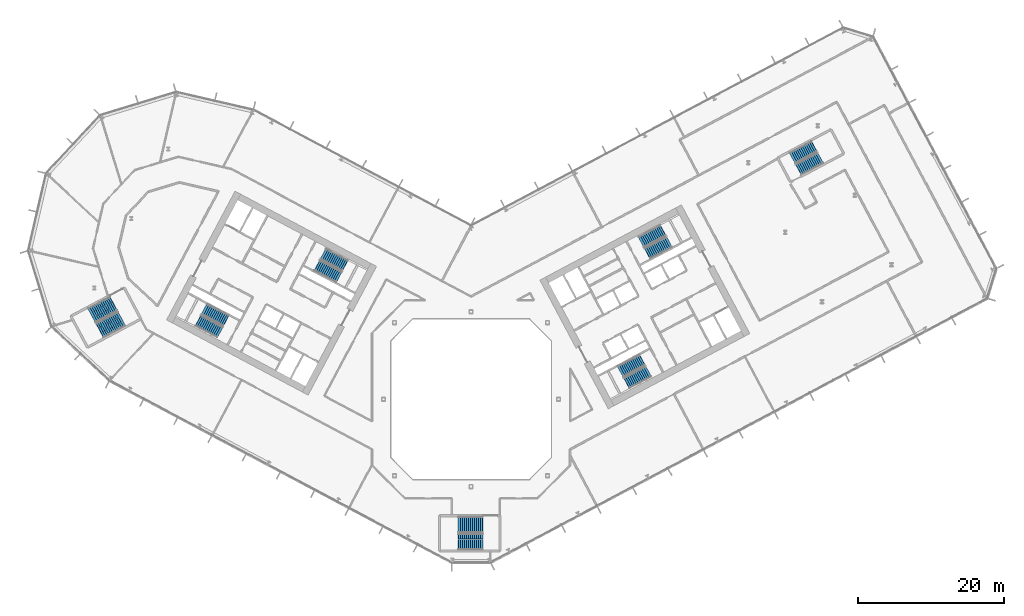
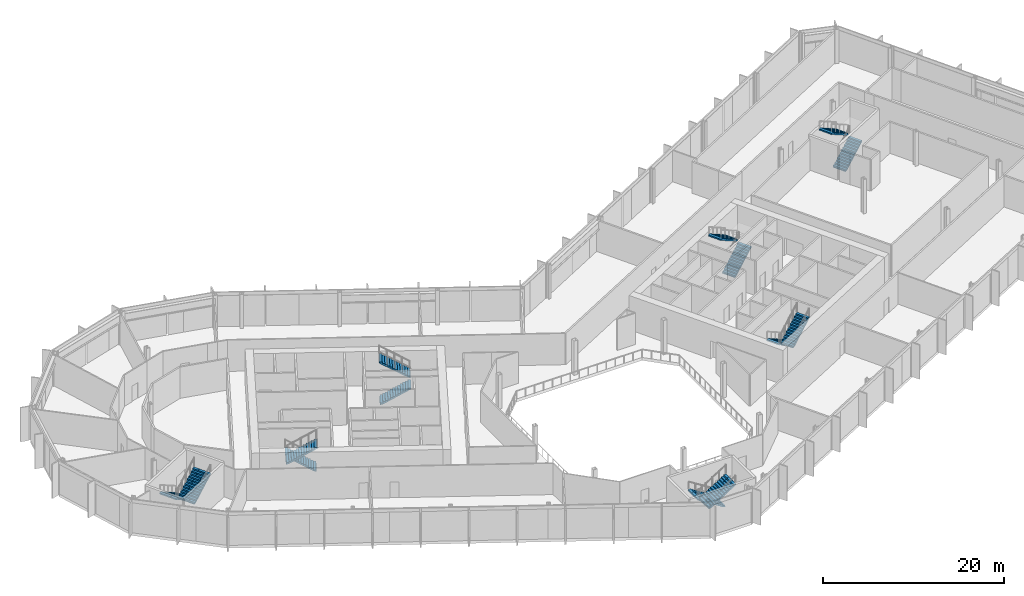
# One storey, part 19 of 30: 14 stair flights, 7 elements without a shape of their own.
"""IFC4 building model written with IfcOpenShell, lengths in metres."""

from ifc_helpers import new_model, si_unit, direction, frame, origin, place, context, subcontext, project, spatial, polyline, outline, extrude, material, type_object, element, aggregate, save


model = new_model("IFC4")

# Units and contexts
model_context = context("Model", 3, precision=1e-05, world=origin(), true_north=direction((0.0, 1.0)))
body_context = subcontext(model_context, "Body", "Model", "MODEL_VIEW")
ifc_project = project(units=[si_unit("LENGTHUNIT", "METRE"), si_unit("AREAUNIT", "SQUARE_METRE"), si_unit("VOLUMEUNIT", "CUBIC_METRE"), si_unit("PLANEANGLEUNIT", "RADIAN"), si_unit("MASSUNIT", "GRAM", prefix="KILO")], contexts=[model_context])

# Site, building, storey
site_placement = place(None, origin())
site = spatial("IfcSite", under=ifc_project, at=site_placement, CompositionType="ELEMENT")
building_placement = place(site_placement, origin())
building = spatial("IfcBuilding", under=site, at=building_placement, Name="Cormorant Relay Tower", CompositionType="ELEMENT")
storey_placement = place(building_placement, frame((0.0, 0.0, 84.60009765625)))
storey = spatial("IfcBuildingStorey", under=building, at=storey_placement, Name="L16", CompositionType="ELEMENT", Elevation=84.60009765625)

# Stair, stair flights
ifc_material_1 = material(Name="Concrete 40 MPa", Category="concrete")
stair_type_1 = type_object("IfcStairType", Name="Exit stair 1500", PredefinedType="HALF_TURN_STAIR", material=ifc_material_1)
stair_1_placement = place(storey_placement, origin())
stair_1 = element("IfcStair", 1, at=stair_1_placement, inside=storey, type_object=stair_type_1, Name="L16 Stair", PredefinedType="HALF_TURN_STAIR")
ifc_material_2 = material(Name="Concrete 40 MPa", Category="concrete")
stair_flight_type_1 = type_object("IfcStairFlightType", Name="Exit stair flight 1650", PredefinedType="STRAIGHT", material=ifc_material_2)
stair_flight_1_placement = place(storey_placement, frame((-21.114501953125, 18.33349609375, 0.0), z_axis=(0.0, 0.0, 1.0), x_axis=(0.882947592859, -0.469471562786, 0.0)))
stair_flight_1 = element("IfcStairFlight", 2, at=stair_flight_1_placement, type_object=stair_flight_type_1, Name="A1 flight 1", NumberOfRisers=13, NumberOfTreads=12, PredefinedType="STRAIGHT", RiserHeight=0.176923077, TreadLength=0.28, context=body_context, shape_type="SweptSolid", body=[
    extrude(outline(polyline([(-0.050048828125, -0.080078125), (-0.050048828125, 0.0), (0.0, 0.0), (0.0, 0.177001953125), (0.280029296875, 0.177001953125), (0.280029296875, 0.353759765625), (0.56005859375, 0.353759765625), (0.56005859375, 0.53076171875), (0.840087890625, 0.53076171875), (0.840087890625, 0.707763671875), (1.1201171875, 0.707763671875), (1.1201171875, 0.884521484375), (1.39990234375, 0.884521484375), (1.39990234375, 1.0615234375), (1.679931640625, 1.0615234375), (1.679931640625, 1.238525390625), (1.9599609375, 1.238525390625), (1.9599609375, 1.415283203125), (2.239990234375, 1.415283203125), (2.239990234375, 1.59228515625), (2.52001953125, 1.59228515625), (2.52001953125, 1.769287109375), (2.800048828125, 1.769287109375), (2.800048828125, 1.946044921875), (3.080078125, 1.946044921875), (3.080078125, 2.123046875), (3.360107421875, 2.123046875), (3.41015625, 2.123046875), (3.41015625, 1.94580078125), (3.360107421875, 1.94580078125), (0.280517578125, 0.0), (-0.050048828125, -0.080078125)])), frame((0.0, 0.824951171875, 0.0), z_axis=(0.0, -1.0, 0.0), x_axis=(1.0, 0.0, 0.0)), (0.0, 0.0, 1.0), 1.64990234375),
])
stair_flight_2_placement = place(storey_placement, frame((-17.302734375, 18.345458984375, 2.2998046875), z_axis=(0.0, 0.0, 1.0), x_axis=(-0.882947592859, 0.469471562786, 0.0)))
stair_flight_2 = element("IfcStairFlight", 3, at=stair_flight_2_placement, type_object=stair_flight_type_1, Name="A1 flight 2", NumberOfRisers=13, NumberOfTreads=12, PredefinedType="STRAIGHT", RiserHeight=0.176923077, TreadLength=0.28, context=body_context, shape_type="SweptSolid", body=[
    extrude(outline(polyline([(-0.050048828125, -0.080078125), (-0.050048828125, 0.0), (0.0, 0.0), (0.0, 0.177001953125), (0.280029296875, 0.177001953125), (0.280029296875, 0.353759765625), (0.56005859375, 0.353759765625), (0.56005859375, 0.53076171875), (0.840087890625, 0.53076171875), (0.840087890625, 0.707763671875), (1.1201171875, 0.707763671875), (1.1201171875, 0.884521484375), (1.39990234375, 0.884521484375), (1.39990234375, 1.0615234375), (1.679931640625, 1.0615234375), (1.679931640625, 1.238525390625), (1.9599609375, 1.238525390625), (1.9599609375, 1.415283203125), (2.239990234375, 1.415283203125), (2.239990234375, 1.59228515625), (2.52001953125, 1.59228515625), (2.52001953125, 1.769287109375), (2.800048828125, 1.769287109375), (2.800048828125, 1.946044921875), (3.080078125, 1.946044921875), (3.080078125, 2.123046875), (3.360107421875, 2.123046875), (3.41015625, 2.123046875), (3.41015625, 1.94580078125), (3.360107421875, 1.94580078125), (0.280517578125, 0.0), (-0.050048828125, -0.080078125)])), frame((0.0, 0.824951171875, 0.0), z_axis=(0.0, -1.0, 0.0), x_axis=(1.0, 0.0, 0.0)), (0.0, 0.0, 1.0), 1.64990234375),
])
aggregate(stair_1, [stair_flight_1, stair_flight_2])

stair_2_placement = place(storey_placement, origin())
stair_2 = element("IfcStair", 4, at=stair_2_placement, inside=storey, type_object=stair_type_1, Name="L16 Stair", PredefinedType="HALF_TURN_STAIR")
stair_flight_3_placement = place(storey_placement, frame((-33.62841796875, 10.773681640625, 0.0), z_axis=(0.0, 0.0, 1.0), x_axis=(-0.882947592859, 0.469471562786, 0.0)))
stair_flight_3 = element("IfcStairFlight", 5, at=stair_flight_3_placement, type_object=stair_flight_type_1, Name="A2 flight 1", NumberOfRisers=13, NumberOfTreads=12, PredefinedType="STRAIGHT", RiserHeight=0.176923077, TreadLength=0.28, context=body_context, shape_type="SweptSolid", body=[
    extrude(outline(polyline([(-0.050048828125, -0.080078125), (-0.050048828125, 0.0), (0.0, 0.0), (0.0, 0.177001953125), (0.280029296875, 0.177001953125), (0.280029296875, 0.353759765625), (0.56005859375, 0.353759765625), (0.56005859375, 0.53076171875), (0.840087890625, 0.53076171875), (0.840087890625, 0.707763671875), (1.1201171875, 0.707763671875), (1.1201171875, 0.884521484375), (1.39990234375, 0.884521484375), (1.39990234375, 1.0615234375), (1.679931640625, 1.0615234375), (1.679931640625, 1.238525390625), (1.9599609375, 1.238525390625), (1.9599609375, 1.415283203125), (2.239990234375, 1.415283203125), (2.239990234375, 1.59228515625), (2.52001953125, 1.59228515625), (2.52001953125, 1.769287109375), (2.800048828125, 1.769287109375), (2.800048828125, 1.946044921875), (3.080078125, 1.946044921875), (3.080078125, 2.123046875), (3.360107421875, 2.123046875), (3.41015625, 2.123046875), (3.41015625, 1.94580078125), (3.360107421875, 1.94580078125), (0.280517578125, 0.0), (-0.050048828125, -0.080078125)])), frame((0.0, 0.824951171875, 0.0), z_axis=(0.0, -1.0, 0.0), x_axis=(1.0, 0.0, 0.0)), (0.0, 0.0, 1.0), 1.64990234375),
])
stair_flight_4_placement = place(storey_placement, frame((-37.440185546875, 10.76171875, 2.2998046875), z_axis=(0.0, 0.0, 1.0), x_axis=(0.882947592859, -0.469471562786, 0.0)))
stair_flight_4 = element("IfcStairFlight", 6, at=stair_flight_4_placement, type_object=stair_flight_type_1, Name="A2 flight 2", NumberOfRisers=13, NumberOfTreads=12, PredefinedType="STRAIGHT", RiserHeight=0.176923077, TreadLength=0.28, context=body_context, shape_type="SweptSolid", body=[
    extrude(outline(polyline([(-0.050048828125, -0.080078125), (-0.050048828125, 0.0), (0.0, 0.0), (0.0, 0.177001953125), (0.280029296875, 0.177001953125), (0.280029296875, 0.353759765625), (0.56005859375, 0.353759765625), (0.56005859375, 0.53076171875), (0.840087890625, 0.53076171875), (0.840087890625, 0.707763671875), (1.1201171875, 0.707763671875), (1.1201171875, 0.884521484375), (1.39990234375, 0.884521484375), (1.39990234375, 1.0615234375), (1.679931640625, 1.0615234375), (1.679931640625, 1.238525390625), (1.9599609375, 1.238525390625), (1.9599609375, 1.415283203125), (2.239990234375, 1.415283203125), (2.239990234375, 1.59228515625), (2.52001953125, 1.59228515625), (2.52001953125, 1.769287109375), (2.800048828125, 1.769287109375), (2.800048828125, 1.946044921875), (3.080078125, 1.946044921875), (3.080078125, 2.123046875), (3.360107421875, 2.123046875), (3.41015625, 2.123046875), (3.41015625, 1.94580078125), (3.360107421875, 1.94580078125), (0.280517578125, 0.0), (-0.050048828125, -0.080078125)])), frame((0.0, 0.824951171875, 0.0), z_axis=(0.0, -1.0, 0.0), x_axis=(1.0, 0.0, 0.0)), (0.0, 0.0, 1.0), 1.64990234375),
])
aggregate(stair_2, [stair_flight_3, stair_flight_4])

stair_3_placement = place(storey_placement, origin())
stair_3 = element("IfcStair", 7, at=stair_3_placement, inside=storey, type_object=stair_type_1, Name="L16 Stair", PredefinedType="HALF_TURN_STAIR")
stair_flight_5_placement = place(storey_placement, frame((23.474365234375, 5.374755859375, 0.0), z_axis=(0.0, 0.0, 1.0), x_axis=(-0.882947592859, -0.469471562786, 0.0)))
stair_flight_5 = element("IfcStairFlight", 8, at=stair_flight_5_placement, type_object=stair_flight_type_1, Name="B1 flight 1", NumberOfRisers=13, NumberOfTreads=12, PredefinedType="STRAIGHT", RiserHeight=0.176923077, TreadLength=0.28, context=body_context, shape_type="SweptSolid", body=[
    extrude(outline(polyline([(-0.050048828125, -0.080078125), (-0.050048828125, 0.0), (0.0, 0.0), (0.0, 0.177001953125), (0.280029296875, 0.177001953125), (0.280029296875, 0.353759765625), (0.56005859375, 0.353759765625), (0.56005859375, 0.53076171875), (0.840087890625, 0.53076171875), (0.840087890625, 0.707763671875), (1.1201171875, 0.707763671875), (1.1201171875, 0.884521484375), (1.39990234375, 0.884521484375), (1.39990234375, 1.0615234375), (1.679931640625, 1.0615234375), (1.679931640625, 1.238525390625), (1.9599609375, 1.238525390625), (1.9599609375, 1.415283203125), (2.239990234375, 1.415283203125), (2.239990234375, 1.59228515625), (2.52001953125, 1.59228515625), (2.52001953125, 1.769287109375), (2.800048828125, 1.769287109375), (2.800048828125, 1.946044921875), (3.080078125, 1.946044921875), (3.080078125, 2.123046875), (3.360107421875, 2.123046875), (3.41015625, 2.123046875), (3.41015625, 1.94580078125), (3.360107421875, 1.94580078125), (0.280517578125, 0.0), (-0.050048828125, -0.080078125)])), frame((0.0, 0.824951171875, 0.0), z_axis=(0.0, -1.0, 0.0), x_axis=(1.0, 0.0, 0.0)), (0.0, 0.0, 1.0), 1.64990234375),
])
stair_flight_6_placement = place(storey_placement, frame((21.352783203125, 2.2080078125, 2.2998046875), z_axis=(0.0, 0.0, 1.0), x_axis=(0.882947592859, 0.469471562786, 0.0)))
stair_flight_6 = element("IfcStairFlight", 9, at=stair_flight_6_placement, type_object=stair_flight_type_1, Name="B1 flight 2", NumberOfRisers=13, NumberOfTreads=12, PredefinedType="STRAIGHT", RiserHeight=0.176923077, TreadLength=0.28, context=body_context, shape_type="SweptSolid", body=[
    extrude(outline(polyline([(-0.050048828125, -0.080078125), (-0.050048828125, 0.0), (0.0, 0.0), (0.0, 0.177001953125), (0.280029296875, 0.177001953125), (0.280029296875, 0.353759765625), (0.56005859375, 0.353759765625), (0.56005859375, 0.53076171875), (0.840087890625, 0.53076171875), (0.840087890625, 0.707763671875), (1.1201171875, 0.707763671875), (1.1201171875, 0.884521484375), (1.39990234375, 0.884521484375), (1.39990234375, 1.0615234375), (1.679931640625, 1.0615234375), (1.679931640625, 1.238525390625), (1.9599609375, 1.238525390625), (1.9599609375, 1.415283203125), (2.239990234375, 1.415283203125), (2.239990234375, 1.59228515625), (2.52001953125, 1.59228515625), (2.52001953125, 1.769287109375), (2.800048828125, 1.769287109375), (2.800048828125, 1.946044921875), (3.080078125, 1.946044921875), (3.080078125, 2.123046875), (3.360107421875, 2.123046875), (3.41015625, 2.123046875), (3.41015625, 1.94580078125), (3.360107421875, 1.94580078125), (0.280517578125, 0.0), (-0.050048828125, -0.080078125)])), frame((0.0, 0.824951171875, 0.0), z_axis=(0.0, -1.0, 0.0), x_axis=(1.0, 0.0, 0.0)), (0.0, 0.0, 1.0), 1.64990234375),
])
aggregate(stair_3, [stair_flight_5, stair_flight_6])

stair_4_placement = place(storey_placement, origin())
stair_4 = element("IfcStair", 10, at=stair_4_placement, inside=storey, type_object=stair_type_1, Name="L16 Stair", PredefinedType="HALF_TURN_STAIR")
stair_flight_7_placement = place(storey_placement, frame((24.20458984375, 19.976806640625, 0.0), z_axis=(0.0, 0.0, 1.0), x_axis=(0.882947592859, 0.469471562786, 0.0)))
stair_flight_7 = element("IfcStairFlight", 11, at=stair_flight_7_placement, type_object=stair_flight_type_1, Name="B2 flight 1", NumberOfRisers=13, NumberOfTreads=12, PredefinedType="STRAIGHT", RiserHeight=0.176923077, TreadLength=0.28, context=body_context, shape_type="SweptSolid", body=[
    extrude(outline(polyline([(-0.050048828125, -0.080078125), (-0.050048828125, 0.0), (0.0, 0.0), (0.0, 0.177001953125), (0.280029296875, 0.177001953125), (0.280029296875, 0.353759765625), (0.56005859375, 0.353759765625), (0.56005859375, 0.53076171875), (0.840087890625, 0.53076171875), (0.840087890625, 0.707763671875), (1.1201171875, 0.707763671875), (1.1201171875, 0.884521484375), (1.39990234375, 0.884521484375), (1.39990234375, 1.0615234375), (1.679931640625, 1.0615234375), (1.679931640625, 1.238525390625), (1.9599609375, 1.238525390625), (1.9599609375, 1.415283203125), (2.239990234375, 1.415283203125), (2.239990234375, 1.59228515625), (2.52001953125, 1.59228515625), (2.52001953125, 1.769287109375), (2.800048828125, 1.769287109375), (2.800048828125, 1.946044921875), (3.080078125, 1.946044921875), (3.080078125, 2.123046875), (3.360107421875, 2.123046875), (3.41015625, 2.123046875), (3.41015625, 1.94580078125), (3.360107421875, 1.94580078125), (0.280517578125, 0.0), (-0.050048828125, -0.080078125)])), frame((0.0, 0.824951171875, 0.0), z_axis=(0.0, -1.0, 0.0), x_axis=(1.0, 0.0, 0.0)), (0.0, 0.0, 1.0), 1.64990234375),
])
stair_flight_8_placement = place(storey_placement, frame((26.326416015625, 23.1435546875, 2.2998046875), z_axis=(0.0, 0.0, 1.0), x_axis=(-0.882947592859, -0.469471562786, 0.0)))
stair_flight_8 = element("IfcStairFlight", 12, at=stair_flight_8_placement, type_object=stair_flight_type_1, Name="B2 flight 2", NumberOfRisers=13, NumberOfTreads=12, PredefinedType="STRAIGHT", RiserHeight=0.176923077, TreadLength=0.28, context=body_context, shape_type="SweptSolid", body=[
    extrude(outline(polyline([(-0.050048828125, -0.080078125), (-0.050048828125, 0.0), (0.0, 0.0), (0.0, 0.177001953125), (0.280029296875, 0.177001953125), (0.280029296875, 0.353759765625), (0.56005859375, 0.353759765625), (0.56005859375, 0.53076171875), (0.840087890625, 0.53076171875), (0.840087890625, 0.707763671875), (1.1201171875, 0.707763671875), (1.1201171875, 0.884521484375), (1.39990234375, 0.884521484375), (1.39990234375, 1.0615234375), (1.679931640625, 1.0615234375), (1.679931640625, 1.238525390625), (1.9599609375, 1.238525390625), (1.9599609375, 1.415283203125), (2.239990234375, 1.415283203125), (2.239990234375, 1.59228515625), (2.52001953125, 1.59228515625), (2.52001953125, 1.769287109375), (2.800048828125, 1.769287109375), (2.800048828125, 1.946044921875), (3.080078125, 1.946044921875), (3.080078125, 2.123046875), (3.360107421875, 2.123046875), (3.41015625, 2.123046875), (3.41015625, 1.94580078125), (3.360107421875, 1.94580078125), (0.280517578125, 0.0), (-0.050048828125, -0.080078125)])), frame((0.0, 0.824951171875, 0.0), z_axis=(0.0, -1.0, 0.0), x_axis=(1.0, 0.0, 0.0)), (0.0, 0.0, 1.0), 1.64990234375),
])
aggregate(stair_4, [stair_flight_7, stair_flight_8])

stair_5_placement = place(storey_placement, origin())
stair_5 = element("IfcStair", 13, at=stair_5_placement, inside=storey, type_object=stair_type_1, Name="L16 Stair", PredefinedType="HALF_TURN_STAIR")
stair_flight_9_placement = place(storey_placement, frame((44.947509765625, 31.502197265625, 0.0), z_axis=(0.0, 0.0, 1.0), x_axis=(0.882947502727, 0.4694717323, 0.0)))
stair_flight_9 = element("IfcStairFlight", 14, at=stair_flight_9_placement, type_object=stair_flight_type_1, Name="RB1 flight 1", NumberOfRisers=13, NumberOfTreads=12, PredefinedType="STRAIGHT", RiserHeight=0.176923077, TreadLength=0.28, context=body_context, shape_type="SweptSolid", body=[
    extrude(outline(polyline([(-0.050048828125, -0.080078125), (-0.050048828125, 0.0), (0.0, 0.0), (0.0, 0.177001953125), (0.280029296875, 0.177001953125), (0.280029296875, 0.353759765625), (0.56005859375, 0.353759765625), (0.56005859375, 0.53076171875), (0.840087890625, 0.53076171875), (0.840087890625, 0.707763671875), (1.1201171875, 0.707763671875), (1.1201171875, 0.884521484375), (1.39990234375, 0.884521484375), (1.39990234375, 1.0615234375), (1.679931640625, 1.0615234375), (1.679931640625, 1.238525390625), (1.9599609375, 1.238525390625), (1.9599609375, 1.415283203125), (2.239990234375, 1.415283203125), (2.239990234375, 1.59228515625), (2.52001953125, 1.59228515625), (2.52001953125, 1.769287109375), (2.800048828125, 1.769287109375), (2.800048828125, 1.946044921875), (3.080078125, 1.946044921875), (3.080078125, 2.123046875), (3.360107421875, 2.123046875), (3.41015625, 2.123046875), (3.41015625, 1.94580078125), (3.360107421875, 1.94580078125), (0.280517578125, 0.0), (-0.050048828125, -0.080078125)])), frame((0.0, 0.824951171875, 0.0), z_axis=(0.0, -1.0, 0.0), x_axis=(1.0, 0.0, 0.0)), (0.0, 0.0, 1.0), 1.64990234375),
])
stair_flight_10_placement = place(storey_placement, frame((47.0693359375, 34.668701171875, 2.2998046875), z_axis=(0.0, 0.0, 1.0), x_axis=(-0.882947502727, -0.4694717323, 0.0)))
stair_flight_10 = element("IfcStairFlight", 15, at=stair_flight_10_placement, type_object=stair_flight_type_1, Name="RB1 flight 2", NumberOfRisers=13, NumberOfTreads=12, PredefinedType="STRAIGHT", RiserHeight=0.176923077, TreadLength=0.28, context=body_context, shape_type="SweptSolid", body=[
    extrude(outline(polyline([(-0.050048828125, -0.080078125), (-0.050048828125, 0.0), (0.0, 0.0), (0.0, 0.177001953125), (0.280029296875, 0.177001953125), (0.280029296875, 0.353759765625), (0.56005859375, 0.353759765625), (0.56005859375, 0.53076171875), (0.840087890625, 0.53076171875), (0.840087890625, 0.707763671875), (1.1201171875, 0.707763671875), (1.1201171875, 0.884521484375), (1.39990234375, 0.884521484375), (1.39990234375, 1.0615234375), (1.679931640625, 1.0615234375), (1.679931640625, 1.238525390625), (1.9599609375, 1.238525390625), (1.9599609375, 1.415283203125), (2.239990234375, 1.415283203125), (2.239990234375, 1.59228515625), (2.52001953125, 1.59228515625), (2.52001953125, 1.769287109375), (2.800048828125, 1.769287109375), (2.800048828125, 1.946044921875), (3.080078125, 1.946044921875), (3.080078125, 2.123046875), (3.360107421875, 2.123046875), (3.41015625, 2.123046875), (3.41015625, 1.94580078125), (3.360107421875, 1.94580078125), (0.280517578125, 0.0), (-0.050048828125, -0.080078125)])), frame((0.0, 0.824951171875, 0.0), z_axis=(0.0, -1.0, 0.0), x_axis=(1.0, 0.0, 0.0)), (0.0, 0.0, 1.0), 1.64990234375),
])
aggregate(stair_5, [stair_flight_9, stair_flight_10])

ifc_material_3 = material(Name="Concrete 40 MPa", Category="concrete")
stair_type_2 = type_object("IfcStairType", Name="Remote exit stair 2200", PredefinedType="HALF_TURN_STAIR", material=ifc_material_3)
stair_6_placement = place(storey_placement, origin())
stair_6 = element("IfcStair", 16, at=stair_6_placement, inside=storey, type_object=stair_type_2, Name="L16 Stair", PredefinedType="HALF_TURN_STAIR")
ifc_material_4 = material(Name="Concrete 40 MPa", Category="concrete")
stair_flight_type_2 = type_object("IfcStairFlightType", Name="Remote exit stair flight 2200", PredefinedType="STRAIGHT", material=ifc_material_4)
stair_flight_11_placement = place(storey_placement, frame((1.60009765625, -17.22509765625, 0.0), z_axis=(0.0, 0.0, 1.0), x_axis=(-1.0, 0.0, 0.0)))
stair_flight_11 = element("IfcStairFlight", 17, at=stair_flight_11_placement, type_object=stair_flight_type_2, Name="RK1 flight 1", NumberOfRisers=13, NumberOfTreads=12, PredefinedType="STRAIGHT", RiserHeight=0.176923077, TreadLength=0.28, context=body_context, shape_type="SweptSolid", body=[
    extrude(outline(polyline([(-0.050048828125, -0.080078125), (-0.050048828125, 0.0), (0.0, 0.0), (0.0, 0.177001953125), (0.280029296875, 0.177001953125), (0.280029296875, 0.353759765625), (0.56005859375, 0.353759765625), (0.56005859375, 0.53076171875), (0.840087890625, 0.53076171875), (0.840087890625, 0.707763671875), (1.1201171875, 0.707763671875), (1.1201171875, 0.884521484375), (1.39990234375, 0.884521484375), (1.39990234375, 1.0615234375), (1.679931640625, 1.0615234375), (1.679931640625, 1.238525390625), (1.9599609375, 1.238525390625), (1.9599609375, 1.415283203125), (2.239990234375, 1.415283203125), (2.239990234375, 1.59228515625), (2.52001953125, 1.59228515625), (2.52001953125, 1.769287109375), (2.800048828125, 1.769287109375), (2.800048828125, 1.946044921875), (3.080078125, 1.946044921875), (3.080078125, 2.123046875), (3.360107421875, 2.123046875), (3.41015625, 2.123046875), (3.41015625, 1.94580078125), (3.360107421875, 1.94580078125), (0.280517578125, 0.0), (-0.050048828125, -0.080078125)])), frame((0.0, 1.10009765625, 0.0), z_axis=(0.0, -1.0, 0.0), x_axis=(1.0, 0.0, 0.0)), (0.0, 0.0, 1.0), 0.719970703125),
    extrude(outline(polyline([(-0.050048828125, -0.080078125), (-0.050048828125, 0.0), (0.0, 0.0), (0.0, 0.177001953125), (0.280029296875, 0.177001953125), (0.280029296875, 0.353759765625), (0.56005859375, 0.353759765625), (0.56005859375, 0.53076171875), (0.840087890625, 0.53076171875), (0.840087890625, 0.707763671875), (1.1201171875, 0.707763671875), (1.1201171875, 0.884521484375), (1.39990234375, 0.884521484375), (1.39990234375, 1.0615234375), (1.679931640625, 1.0615234375), (1.679931640625, 1.238525390625), (1.9599609375, 1.238525390625), (1.9599609375, 1.415283203125), (2.239990234375, 1.415283203125), (2.239990234375, 1.59228515625), (2.52001953125, 1.59228515625), (2.52001953125, 1.769287109375), (2.800048828125, 1.769287109375), (2.800048828125, 1.946044921875), (3.080078125, 1.946044921875), (3.080078125, 2.123046875), (3.360107421875, 2.123046875), (3.41015625, 2.123046875), (3.41015625, 1.94580078125), (3.360107421875, 1.94580078125), (0.280517578125, 0.0), (-0.050048828125, -0.080078125)])), frame((0.0, 0.360107421875, 0.0), z_axis=(0.0, -1.0, 0.0), x_axis=(1.0, 0.0, 0.0)), (0.0, 0.0, 1.0), 0.719970703125),
    extrude(outline(polyline([(-0.050048828125, -0.080078125), (-0.050048828125, 0.0), (0.0, 0.0), (0.0, 0.177001953125), (0.280029296875, 0.177001953125), (0.280029296875, 0.353759765625), (0.56005859375, 0.353759765625), (0.56005859375, 0.53076171875), (0.840087890625, 0.53076171875), (0.840087890625, 0.707763671875), (1.1201171875, 0.707763671875), (1.1201171875, 0.884521484375), (1.39990234375, 0.884521484375), (1.39990234375, 1.0615234375), (1.679931640625, 1.0615234375), (1.679931640625, 1.238525390625), (1.9599609375, 1.238525390625), (1.9599609375, 1.415283203125), (2.239990234375, 1.415283203125), (2.239990234375, 1.59228515625), (2.52001953125, 1.59228515625), (2.52001953125, 1.769287109375), (2.800048828125, 1.769287109375), (2.800048828125, 1.946044921875), (3.080078125, 1.946044921875), (3.080078125, 2.123046875), (3.360107421875, 2.123046875), (3.41015625, 2.123046875), (3.41015625, 1.94580078125), (3.360107421875, 1.94580078125), (0.280517578125, 0.0), (-0.050048828125, -0.080078125)])), frame((0.0, -0.3798828125, 0.0), z_axis=(0.0, -1.0, 0.0), x_axis=(1.0, 0.0, 0.0)), (0.0, 0.0, 1.0), 0.719970703125),
])
stair_flight_12_placement = place(storey_placement, frame((-1.760009765625, -19.574951171875, 2.2998046875), z_axis=(0.0, 0.0, 1.0), x_axis=(1.0, 0.0, 0.0)))
stair_flight_12 = element("IfcStairFlight", 18, at=stair_flight_12_placement, type_object=stair_flight_type_2, Name="RK1 flight 2", NumberOfRisers=13, NumberOfTreads=12, PredefinedType="STRAIGHT", RiserHeight=0.176923077, TreadLength=0.28, context=body_context, shape_type="SweptSolid", body=[
    extrude(outline(polyline([(-0.050048828125, -0.080078125), (-0.050048828125, 0.0), (0.0, 0.0), (0.0, 0.177001953125), (0.280029296875, 0.177001953125), (0.280029296875, 0.353759765625), (0.56005859375, 0.353759765625), (0.56005859375, 0.53076171875), (0.840087890625, 0.53076171875), (0.840087890625, 0.707763671875), (1.1201171875, 0.707763671875), (1.1201171875, 0.884521484375), (1.39990234375, 0.884521484375), (1.39990234375, 1.0615234375), (1.679931640625, 1.0615234375), (1.679931640625, 1.238525390625), (1.9599609375, 1.238525390625), (1.9599609375, 1.415283203125), (2.239990234375, 1.415283203125), (2.239990234375, 1.59228515625), (2.52001953125, 1.59228515625), (2.52001953125, 1.769287109375), (2.800048828125, 1.769287109375), (2.800048828125, 1.946044921875), (3.080078125, 1.946044921875), (3.080078125, 2.123046875), (3.360107421875, 2.123046875), (3.41015625, 2.123046875), (3.41015625, 1.94580078125), (3.360107421875, 1.94580078125), (0.280517578125, 0.0), (-0.050048828125, -0.080078125)])), frame((0.0, 1.10009765625, 0.0), z_axis=(0.0, -1.0, 0.0), x_axis=(1.0, 0.0, 0.0)), (0.0, 0.0, 1.0), 0.719970703125),
    extrude(outline(polyline([(-0.050048828125, -0.080078125), (-0.050048828125, 0.0), (0.0, 0.0), (0.0, 0.177001953125), (0.280029296875, 0.177001953125), (0.280029296875, 0.353759765625), (0.56005859375, 0.353759765625), (0.56005859375, 0.53076171875), (0.840087890625, 0.53076171875), (0.840087890625, 0.707763671875), (1.1201171875, 0.707763671875), (1.1201171875, 0.884521484375), (1.39990234375, 0.884521484375), (1.39990234375, 1.0615234375), (1.679931640625, 1.0615234375), (1.679931640625, 1.238525390625), (1.9599609375, 1.238525390625), (1.9599609375, 1.415283203125), (2.239990234375, 1.415283203125), (2.239990234375, 1.59228515625), (2.52001953125, 1.59228515625), (2.52001953125, 1.769287109375), (2.800048828125, 1.769287109375), (2.800048828125, 1.946044921875), (3.080078125, 1.946044921875), (3.080078125, 2.123046875), (3.360107421875, 2.123046875), (3.41015625, 2.123046875), (3.41015625, 1.94580078125), (3.360107421875, 1.94580078125), (0.280517578125, 0.0), (-0.050048828125, -0.080078125)])), frame((0.0, 0.360107421875, 0.0), z_axis=(0.0, -1.0, 0.0), x_axis=(1.0, 0.0, 0.0)), (0.0, 0.0, 1.0), 0.719970703125),
    extrude(outline(polyline([(-0.050048828125, -0.080078125), (-0.050048828125, 0.0), (0.0, 0.0), (0.0, 0.177001953125), (0.280029296875, 0.177001953125), (0.280029296875, 0.353759765625), (0.56005859375, 0.353759765625), (0.56005859375, 0.53076171875), (0.840087890625, 0.53076171875), (0.840087890625, 0.707763671875), (1.1201171875, 0.707763671875), (1.1201171875, 0.884521484375), (1.39990234375, 0.884521484375), (1.39990234375, 1.0615234375), (1.679931640625, 1.0615234375), (1.679931640625, 1.238525390625), (1.9599609375, 1.238525390625), (1.9599609375, 1.415283203125), (2.239990234375, 1.415283203125), (2.239990234375, 1.59228515625), (2.52001953125, 1.59228515625), (2.52001953125, 1.769287109375), (2.800048828125, 1.769287109375), (2.800048828125, 1.946044921875), (3.080078125, 1.946044921875), (3.080078125, 2.123046875), (3.360107421875, 2.123046875), (3.41015625, 2.123046875), (3.41015625, 1.94580078125), (3.360107421875, 1.94580078125), (0.280517578125, 0.0), (-0.050048828125, -0.080078125)])), frame((0.0, -0.3798828125, 0.0), z_axis=(0.0, -1.0, 0.0), x_axis=(1.0, 0.0, 0.0)), (0.0, 0.0, 1.0), 0.719970703125),
])
aggregate(stair_6, [stair_flight_11, stair_flight_12])

stair_7_placement = place(storey_placement, origin())
stair_7 = element("IfcStair", 19, at=stair_7_placement, inside=storey, type_object=stair_type_2, Name="L16 Stair", PredefinedType="HALF_TURN_STAIR")
stair_flight_13_placement = place(storey_placement, frame((-49.062255859375, 13.08251953125, 0.0), z_axis=(0.0, 0.0, 1.0), x_axis=(-0.882947502727, -0.4694717323, 0.0)))
stair_flight_13 = element("IfcStairFlight", 20, at=stair_flight_13_placement, type_object=stair_flight_type_2, Name="RP1 flight 1", NumberOfRisers=13, NumberOfTreads=12, PredefinedType="STRAIGHT", RiserHeight=0.176923077, TreadLength=0.28, context=body_context, shape_type="SweptSolid", body=[
    extrude(outline(polyline([(-0.050048828125, -0.080078125), (-0.050048828125, 0.0), (0.0, 0.0), (0.0, 0.177001953125), (0.280029296875, 0.177001953125), (0.280029296875, 0.353759765625), (0.56005859375, 0.353759765625), (0.56005859375, 0.53076171875), (0.840087890625, 0.53076171875), (0.840087890625, 0.707763671875), (1.1201171875, 0.707763671875), (1.1201171875, 0.884521484375), (1.39990234375, 0.884521484375), (1.39990234375, 1.0615234375), (1.679931640625, 1.0615234375), (1.679931640625, 1.238525390625), (1.9599609375, 1.238525390625), (1.9599609375, 1.415283203125), (2.239990234375, 1.415283203125), (2.239990234375, 1.59228515625), (2.52001953125, 1.59228515625), (2.52001953125, 1.769287109375), (2.800048828125, 1.769287109375), (2.800048828125, 1.946044921875), (3.080078125, 1.946044921875), (3.080078125, 2.123046875), (3.360107421875, 2.123046875), (3.41015625, 2.123046875), (3.41015625, 1.94580078125), (3.360107421875, 1.94580078125), (0.280517578125, 0.0), (-0.050048828125, -0.080078125)])), frame((0.0, 1.10009765625, 0.0), z_axis=(0.0, -1.0, 0.0), x_axis=(1.0, 0.0, 0.0)), (0.0, 0.0, 1.0), 0.719970703125),
    extrude(outline(polyline([(-0.050048828125, -0.080078125), (-0.050048828125, 0.0), (0.0, 0.0), (0.0, 0.177001953125), (0.280029296875, 0.177001953125), (0.280029296875, 0.353759765625), (0.56005859375, 0.353759765625), (0.56005859375, 0.53076171875), (0.840087890625, 0.53076171875), (0.840087890625, 0.707763671875), (1.1201171875, 0.707763671875), (1.1201171875, 0.884521484375), (1.39990234375, 0.884521484375), (1.39990234375, 1.0615234375), (1.679931640625, 1.0615234375), (1.679931640625, 1.238525390625), (1.9599609375, 1.238525390625), (1.9599609375, 1.415283203125), (2.239990234375, 1.415283203125), (2.239990234375, 1.59228515625), (2.52001953125, 1.59228515625), (2.52001953125, 1.769287109375), (2.800048828125, 1.769287109375), (2.800048828125, 1.946044921875), (3.080078125, 1.946044921875), (3.080078125, 2.123046875), (3.360107421875, 2.123046875), (3.41015625, 2.123046875), (3.41015625, 1.94580078125), (3.360107421875, 1.94580078125), (0.280517578125, 0.0), (-0.050048828125, -0.080078125)])), frame((0.0, 0.360107421875, 0.0), z_axis=(0.0, -1.0, 0.0), x_axis=(1.0, 0.0, 0.0)), (0.0, 0.0, 1.0), 0.719970703125),
    extrude(outline(polyline([(-0.050048828125, -0.080078125), (-0.050048828125, 0.0), (0.0, 0.0), (0.0, 0.177001953125), (0.280029296875, 0.177001953125), (0.280029296875, 0.353759765625), (0.56005859375, 0.353759765625), (0.56005859375, 0.53076171875), (0.840087890625, 0.53076171875), (0.840087890625, 0.707763671875), (1.1201171875, 0.707763671875), (1.1201171875, 0.884521484375), (1.39990234375, 0.884521484375), (1.39990234375, 1.0615234375), (1.679931640625, 1.0615234375), (1.679931640625, 1.238525390625), (1.9599609375, 1.238525390625), (1.9599609375, 1.415283203125), (2.239990234375, 1.415283203125), (2.239990234375, 1.59228515625), (2.52001953125, 1.59228515625), (2.52001953125, 1.769287109375), (2.800048828125, 1.769287109375), (2.800048828125, 1.946044921875), (3.080078125, 1.946044921875), (3.080078125, 2.123046875), (3.360107421875, 2.123046875), (3.41015625, 2.123046875), (3.41015625, 1.94580078125), (3.360107421875, 1.94580078125), (0.280517578125, 0.0), (-0.050048828125, -0.080078125)])), frame((0.0, -0.3798828125, 0.0), z_axis=(0.0, -1.0, 0.0), x_axis=(1.0, 0.0, 0.0)), (0.0, 0.0, 1.0), 0.719970703125),
])
stair_flight_14_placement = place(storey_placement, frame((-50.92578125, 9.43017578125, 2.2998046875), z_axis=(0.0, 0.0, 1.0), x_axis=(0.882947502727, 0.4694717323, 0.0)))
stair_flight_14 = element("IfcStairFlight", 21, at=stair_flight_14_placement, type_object=stair_flight_type_2, Name="RP1 flight 2", NumberOfRisers=13, NumberOfTreads=12, PredefinedType="STRAIGHT", RiserHeight=0.176923077, TreadLength=0.28, context=body_context, shape_type="SweptSolid", body=[
    extrude(outline(polyline([(-0.050048828125, -0.080078125), (-0.050048828125, 0.0), (0.0, 0.0), (0.0, 0.177001953125), (0.280029296875, 0.177001953125), (0.280029296875, 0.353759765625), (0.56005859375, 0.353759765625), (0.56005859375, 0.53076171875), (0.840087890625, 0.53076171875), (0.840087890625, 0.707763671875), (1.1201171875, 0.707763671875), (1.1201171875, 0.884521484375), (1.39990234375, 0.884521484375), (1.39990234375, 1.0615234375), (1.679931640625, 1.0615234375), (1.679931640625, 1.238525390625), (1.9599609375, 1.238525390625), (1.9599609375, 1.415283203125), (2.239990234375, 1.415283203125), (2.239990234375, 1.59228515625), (2.52001953125, 1.59228515625), (2.52001953125, 1.769287109375), (2.800048828125, 1.769287109375), (2.800048828125, 1.946044921875), (3.080078125, 1.946044921875), (3.080078125, 2.123046875), (3.360107421875, 2.123046875), (3.41015625, 2.123046875), (3.41015625, 1.94580078125), (3.360107421875, 1.94580078125), (0.280517578125, 0.0), (-0.050048828125, -0.080078125)])), frame((0.0, 1.10009765625, 0.0), z_axis=(0.0, -1.0, 0.0), x_axis=(1.0, 0.0, 0.0)), (0.0, 0.0, 1.0), 0.719970703125),
    extrude(outline(polyline([(-0.050048828125, -0.080078125), (-0.050048828125, 0.0), (0.0, 0.0), (0.0, 0.177001953125), (0.280029296875, 0.177001953125), (0.280029296875, 0.353759765625), (0.56005859375, 0.353759765625), (0.56005859375, 0.53076171875), (0.840087890625, 0.53076171875), (0.840087890625, 0.707763671875), (1.1201171875, 0.707763671875), (1.1201171875, 0.884521484375), (1.39990234375, 0.884521484375), (1.39990234375, 1.0615234375), (1.679931640625, 1.0615234375), (1.679931640625, 1.238525390625), (1.9599609375, 1.238525390625), (1.9599609375, 1.415283203125), (2.239990234375, 1.415283203125), (2.239990234375, 1.59228515625), (2.52001953125, 1.59228515625), (2.52001953125, 1.769287109375), (2.800048828125, 1.769287109375), (2.800048828125, 1.946044921875), (3.080078125, 1.946044921875), (3.080078125, 2.123046875), (3.360107421875, 2.123046875), (3.41015625, 2.123046875), (3.41015625, 1.94580078125), (3.360107421875, 1.94580078125), (0.280517578125, 0.0), (-0.050048828125, -0.080078125)])), frame((0.0, 0.360107421875, 0.0), z_axis=(0.0, -1.0, 0.0), x_axis=(1.0, 0.0, 0.0)), (0.0, 0.0, 1.0), 0.719970703125),
    extrude(outline(polyline([(-0.050048828125, -0.080078125), (-0.050048828125, 0.0), (0.0, 0.0), (0.0, 0.177001953125), (0.280029296875, 0.177001953125), (0.280029296875, 0.353759765625), (0.56005859375, 0.353759765625), (0.56005859375, 0.53076171875), (0.840087890625, 0.53076171875), (0.840087890625, 0.707763671875), (1.1201171875, 0.707763671875), (1.1201171875, 0.884521484375), (1.39990234375, 0.884521484375), (1.39990234375, 1.0615234375), (1.679931640625, 1.0615234375), (1.679931640625, 1.238525390625), (1.9599609375, 1.238525390625), (1.9599609375, 1.415283203125), (2.239990234375, 1.415283203125), (2.239990234375, 1.59228515625), (2.52001953125, 1.59228515625), (2.52001953125, 1.769287109375), (2.800048828125, 1.769287109375), (2.800048828125, 1.946044921875), (3.080078125, 1.946044921875), (3.080078125, 2.123046875), (3.360107421875, 2.123046875), (3.41015625, 2.123046875), (3.41015625, 1.94580078125), (3.360107421875, 1.94580078125), (0.280517578125, 0.0), (-0.050048828125, -0.080078125)])), frame((0.0, -0.3798828125, 0.0), z_axis=(0.0, -1.0, 0.0), x_axis=(1.0, 0.0, 0.0)), (0.0, 0.0, 1.0), 0.719970703125),
])
aggregate(stair_7, [stair_flight_13, stair_flight_14])

save(model, "model.ifc")
